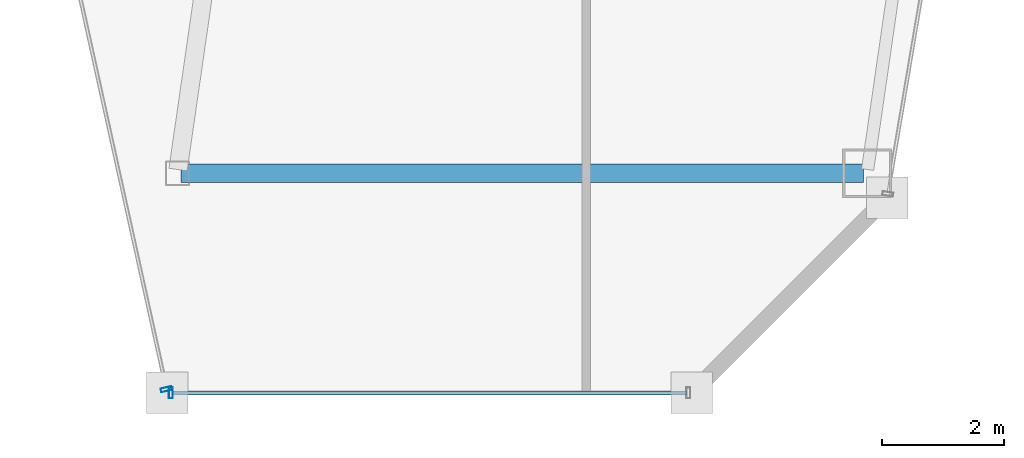
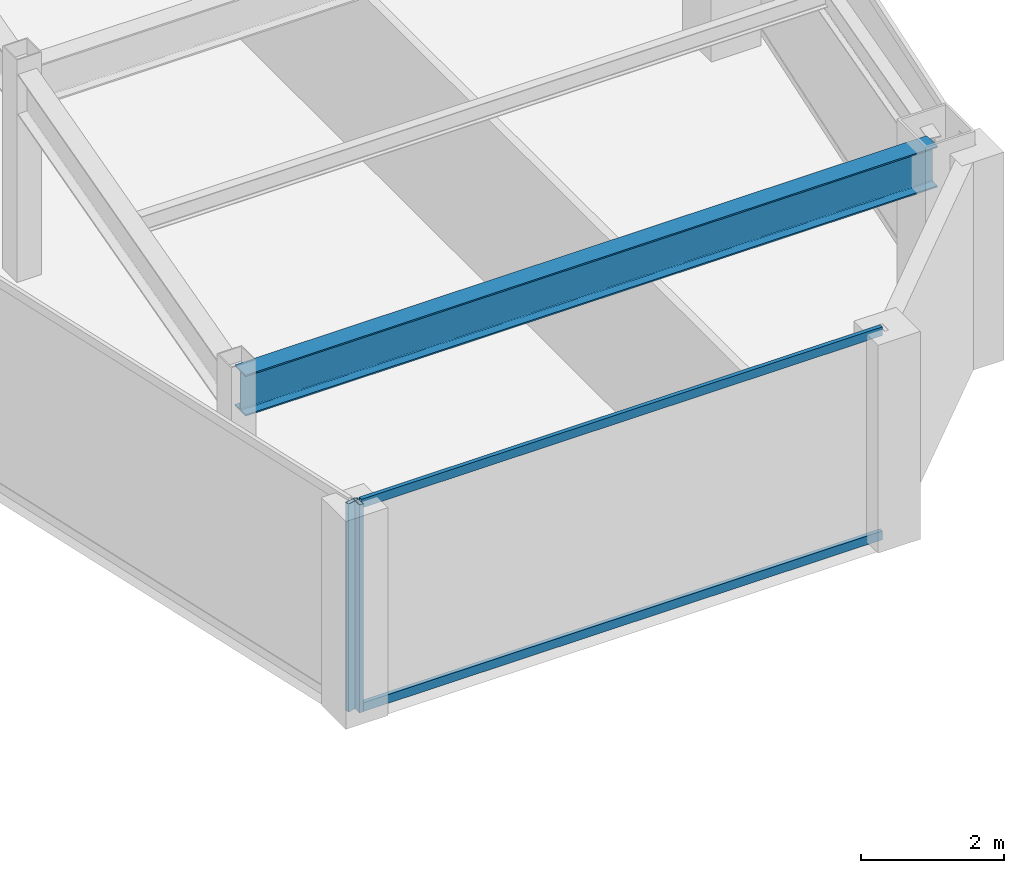
# One storey, part 16 of 35: 4 members, 1 beam, 2 elements without a shape of their own.
"""IFC4 building model written with IfcOpenShell, lengths in metres."""

import ifcopenshell
import ifcopenshell.guid

model = None  # the IFC model being written
_history = None  # IfcOwnerHistory: only IFC2X3 demands one
_inside = {}  # id of a spatial element -> (the spatial element, [elements in it])
_under = {}  # id of a project, library or spatial element -> (it, [spatial elements below it])
_declared = {}  # id of a project -> (the project, [libraries it declares])
_typed = {}  # id of a type object -> (the type object, [elements of that type])
_made_of = {}  # id of a material, layer set ... -> (it, [elements and type objects made of it])


def new_model(schema):
    """Start an empty IFC model of exactly this schema.

    Asked for "IFC4X3", IfcOpenShell would pick the latest addendum, in which some entities
    have other attributes; the version numbers below select the first issue.
    IFC2X3 requires an IfcOwnerHistory on every rooted entity: one is made here for all.
    """
    global model, _history
    if schema == "IFC4X3":
        model = ifcopenshell.file(schema_version=(4, 3, 0, 0))
    else:
        model = ifcopenshell.file(schema=schema)
    _inside.clear()
    _under.clear()
    _declared.clear()
    _typed.clear()
    _made_of.clear()
    _history = None
    if model.schema == "IFC2X3":
        org = make("IfcOrganization", Name="unknown")
        user = make(
            "IfcPersonAndOrganization",
            ThePerson=make("IfcPerson", FamilyName="unknown"),
            TheOrganization=org,
        )
        app = make(
            "IfcApplication",
            ApplicationDeveloper=org,
            Version="unknown",
            ApplicationFullName="unknown",
            ApplicationIdentifier="unknown",
        )
        _history = make(
            "IfcOwnerHistory",
            OwningUser=user,
            OwningApplication=app,
            ChangeAction="ADDED",
            CreationDate=0,
        )
    return model


def make(cls, **values):
    """One entity of the class cls with the attributes given. An attribute that is None is left unset."""
    return model.create_entity(
        cls, **{name: value for name, value in values.items() if value is not None}
    )


def rooted(cls, **values):
    """An entity with a GlobalId (a new one), such as an element, a storey or a relation."""
    return make(cls, GlobalId=ifcopenshell.guid.new(), OwnerHistory=_history, **values)


def si_unit(unit_type, name, prefix=None):
    """IfcSIUnit, for example si_unit("LENGTHUNIT", "METRE", prefix="MILLI")."""
    return make("IfcSIUnit", UnitType=unit_type, Prefix=prefix, Name=name)


def assignment(units):
    """IfcUnitAssignment: the units of a project."""
    return None if units is None else make("IfcUnitAssignment", Units=units)


def point(xyz):
    """IfcCartesianPoint."""
    return None if xyz is None else make("IfcCartesianPoint", Coordinates=xyz)


def direction(xyz):
    """IfcDirection."""
    return None if xyz is None else make("IfcDirection", DirectionRatios=xyz)


def frame(location, z_axis=None, x_axis=None):
    """IfcAxis2Placement3D, a coordinate frame: its origin and axes. An axis left out is left unset."""
    return make(
        "IfcAxis2Placement3D",
        Location=point(location),
        Axis=direction(z_axis),
        RefDirection=direction(x_axis),
    )


def frame_2d(location, x_axis=None):
    """IfcAxis2Placement2D, a coordinate frame in the plane: its origin and x axis."""
    return make(
        "IfcAxis2Placement2D", Location=point(location), RefDirection=direction(x_axis)
    )


def origin():
    """The frame at (0, 0, 0) with its axes left unset."""
    return frame((0.0, 0.0, 0.0))


def origin_2d():
    """The frame at (0, 0) in the plane with its x axis left unset."""
    return frame_2d((0.0, 0.0))


def place(relative_to, where):
    """IfcLocalPlacement: puts the frame where relative to a parent placement (None: the world)."""
    return make(
        "IfcLocalPlacement", PlacementRelTo=relative_to, RelativePlacement=where
    )


def context(
    kind, dimensions, precision=None, world=None, true_north=None, identifier=None
):
    """IfcGeometricRepresentationContext, for example the 3D "Model" context."""
    return make(
        "IfcGeometricRepresentationContext",
        ContextIdentifier=identifier,
        ContextType=kind,
        CoordinateSpaceDimension=dimensions,
        Precision=precision,
        WorldCoordinateSystem=world,
        TrueNorth=true_north,
    )


def subcontext(parent, identifier, kind, view, scale=None):
    """IfcGeometricRepresentationSubContext, for example "Body" below "Model"."""
    return make(
        "IfcGeometricRepresentationSubContext",
        ContextIdentifier=identifier,
        ContextType=kind,
        ParentContext=parent,
        TargetScale=scale,
        TargetView=view,
    )


def project(units=None, contexts=None):
    """IfcProject with its units and contexts."""
    return rooted(
        "IfcProject",
        Name="project",
        RepresentationContexts=contexts,
        UnitsInContext=assignment(units),
    )


def spatial(cls, under=None, at=None, **own):
    """A site, building, storey or space (cls), placed at a placement, below another one or the project."""
    s = rooted(cls, ObjectPlacement=at, **own)
    if under is not None:
        _under.setdefault(under.id(), (under, []))[1].append(s)
    return s


def profile(cls, at=None, kind="AREA", **sizes):
    """A parametric profile (cls). Its sizes go by their IFC names, for example OverallWidth=200.0."""
    return make(cls, ProfileType=kind, Position=at, **sizes)


def hollow_rectangle(**sizes):
    """IfcRectangleHollowProfileDef."""
    return profile("IfcRectangleHollowProfileDef", **sizes)


def i_section(**sizes):
    """IfcIShapeProfileDef."""
    return profile("IfcIShapeProfileDef", **sizes)


def extrude(swept, where, along, depth):
    """IfcExtrudedAreaSolid: the profile swept, set in the frame where, extruded along a direction by depth."""
    return make(
        "IfcExtrudedAreaSolid",
        SweptArea=swept,
        Position=where,
        ExtrudedDirection=direction(along),
        Depth=depth,
    )


def shape(context_of_items, identifier, shape_type, items):
    """IfcShapeRepresentation: the items that make up one representation, for example the "Body"."""
    return make(
        "IfcShapeRepresentation",
        ContextOfItems=context_of_items,
        RepresentationIdentifier=identifier,
        RepresentationType=shape_type,
        Items=items,
    )


def material(Name=None, Category=None):
    """IfcMaterial."""
    return make("IfcMaterial", Name=Name, Category=Category)


def material_profile(
    of_material, cross_section, Name=None, Category=None, Priority=None
):
    """IfcMaterialProfile: a cross section and its material."""
    return make(
        "IfcMaterialProfile",
        Name=Name,
        Material=of_material,
        Profile=cross_section,
        Priority=Priority,
        Category=Category,
    )


def profile_set(profiles, Name=None, composite=None):
    """IfcMaterialProfileSet."""
    return make(
        "IfcMaterialProfileSet",
        Name=Name,
        MaterialProfiles=profiles,
        CompositeProfile=composite,
    )


def made_of(thing, what):
    """Note that an element or type object is made of a material, layer set ...; save() writes the relation."""
    if what is not None:
        _made_of.setdefault(what.id(), (what, []))[1].append(thing)
    return thing


def type_object(cls, material=None, **own):
    """A type object (cls), such as IfcWallType, which elements share."""
    return made_of(rooted(cls, **own), material)


def element(
    cls,
    number,
    at=None,
    inside=None,
    cuts=None,
    type_object=None,
    material=None,
    context=None,
    identifier="Body",
    shape_type=None,
    held_by="IfcProductDefinitionShape",
    body=None,
    shapes=None,
    **own,
):
    """One element of the class cls, such as IfcWall. Its Tag is "e" and its number.

    at: its placement. inside: the storey or other place that contains it. cuts: it is an
    opening in that element (IfcRelVoidsElement). A single representation is given by context,
    identifier, shape_type and body (its items); several are given by shapes. held_by: the class
    of the entity that holds the representations. save() writes the other relations.
    """
    e = rooted(cls, Tag="e%d" % number, ObjectPlacement=at, **own)
    if body is not None:
        shapes = [shape(context, identifier, shape_type, body)]
    if shapes is not None:
        e.Representation = make(held_by, Representations=shapes)
    if inside is not None:
        _inside.setdefault(inside.id(), (inside, []))[1].append(e)
    if cuts is not None:
        rooted(
            "IfcRelVoidsElement", RelatingBuildingElement=cuts, RelatedOpeningElement=e
        )
    if type_object is not None:
        _typed.setdefault(type_object.id(), (type_object, []))[1].append(e)
    return made_of(e, material)


def aggregate(whole, parts):
    """IfcRelAggregates: a whole, such as a stair, and the parts it consists of."""
    return rooted("IfcRelAggregates", RelatingObject=whole, RelatedObjects=parts)


def save(model, path):
    """Write the relations noted so far, then the file.

    IfcRelAggregates (storeys below a building ...), IfcRelContainedInSpatialStructure (elements
    in a storey), IfcRelDefinesByType, IfcRelAssociatesMaterial and IfcRelDeclares: one each for
    every whole, place, type object, material and project.
    """
    for whole, parts in _under.values():
        aggregate(whole, parts)
    for where, things in _inside.values():
        rooted(
            "IfcRelContainedInSpatialStructure",
            RelatedElements=things,
            RelatingStructure=where,
        )
    for kind, things in _typed.values():
        rooted("IfcRelDefinesByType", RelatedObjects=things, RelatingType=kind)
    for what, things in _made_of.values():
        rooted("IfcRelAssociatesMaterial", RelatedObjects=things, RelatingMaterial=what)
    for by, libraries in _declared.values():
        rooted("IfcRelDeclares", RelatingContext=by, RelatedDefinitions=libraries)
    model.write(path)


model = new_model("IFC4")

# Units and contexts
model_context = context("Model", 3, precision=1e-05, world=origin(), true_north=direction((0.0, 1.0)))
body_context = subcontext(model_context, "Body", "Model", "MODEL_VIEW")
ifc_project = project(units=[si_unit("LENGTHUNIT", "METRE"), si_unit("AREAUNIT", "SQUARE_METRE"), si_unit("VOLUMEUNIT", "CUBIC_METRE"), si_unit("PLANEANGLEUNIT", "RADIAN"), si_unit("MASSUNIT", "GRAM", prefix="KILO")], contexts=[model_context])

# Site, building, storey
site_placement = place(None, origin())
site = spatial("IfcSite", under=ifc_project, at=site_placement, CompositionType="ELEMENT")
building_placement = place(site_placement, origin())
building = spatial("IfcBuilding", under=site, at=building_placement, Name="Saevonmaru Cultural Tower", CompositionType="ELEMENT")
storey_placement = place(building_placement, frame((0.0, 0.0, 194.199951171875)))
storey = spatial("IfcBuildingStorey", under=building, at=storey_placement, Name="L44", CompositionType="ELEMENT", Elevation=194.199951171875)

# Beam
ifc_material_1 = material(Name="Steel SM355", Category="steel")
ifc_material_profile_1 = material_profile(ifc_material_1, i_section(OverallWidth=0.300048828125, OverallDepth=0.699951171875, WebThickness=0.012939453125, FlangeThickness=0.02392578125, FilletRadius=0.02587890625, at=origin_2d()), Name="H-700x300x13x24")
ifc_profile_set_1 = profile_set([ifc_material_profile_1], Name="Steel SM355")
beam_type = type_object("IfcBeamType", Name="BM-G-H700", PredefinedType="BEAM", material=ifc_profile_set_1)
beam_placement = place(storey_placement, frame((38.132080078125, 16.0, 3.199951171875), z_axis=(1.0, 0.0, 0.0), x_axis=(0.0, 1.0, 0.0)))
element("IfcBeam", 1, at=beam_placement, inside=storey, type_object=beam_type, Name="L44 East Wing Transverse Girder 1", PredefinedType="BEAM", context=body_context, shape_type="SweptSolid", body=[
    extrude(i_section(OverallWidth=0.300048828125, OverallDepth=0.699951171875, WebThickness=0.012939453125, FlangeThickness=0.02392578125, FilletRadius=0.02587890625, at=origin_2d()), origin(), (0.0, 0.0, 1.0), 11.179931640625),
])

# Curtain wall, member
ifc_material_2 = material(Name="Satin Bronze Anodised Aluminium", Category="aluminium")
curtain_wall_type = type_object("IfcCurtainWallType", Name="CW-TYP-B", PredefinedType="NOTDEFINED", material=ifc_material_2)
curtain_wall_1_placement = place(storey_placement, origin())
curtain_wall_1 = element("IfcCurtainWall", 2, at=curtain_wall_1_placement, inside=storey, type_object=curtain_wall_type, Name="L44 Unitised Curtain Wall E5", PredefinedType="NOTDEFINED")
ifc_material_profile_2 = material_profile(ifc_material_2, hollow_rectangle(XDim=0.06494140625, YDim=0.179931640625, WallThickness=0.00390625, at=origin_2d()), Name="ALU-MULL-180x65x4")
ifc_profile_set_2 = profile_set([ifc_material_profile_2], Name="Satin Bronze Anodised Aluminium")
member_type_1 = type_object("IfcMemberType", Name="ML-CW-180x65", PredefinedType="MULLION", material=ifc_profile_set_2)
member_1_placement = place(storey_placement, frame((37.889404296875, 12.45849609375, 0.0), z_axis=(0.0, 0.0, 1.0), x_axis=(0.215413319953, -0.976522965212, 0.0)))
member_1 = element("IfcMember", 3, at=member_1_placement, type_object=member_type_1, Name="CW-TW-L44-E5 mullion 2", PredefinedType="MULLION", context=body_context, shape_type="SweptSolid", body=[
    extrude(hollow_rectangle(XDim=0.06494140625, YDim=0.179931640625, WallThickness=0.00390625, at=origin_2d()), origin(), (0.0, 0.0, 1.0), 3.550048828125),
])
aggregate(curtain_wall_1, [member_1])

# Curtain wall, members
curtain_wall_2_placement = place(storey_placement, origin())
curtain_wall_2 = element("IfcCurtainWall", 4, at=curtain_wall_2_placement, inside=storey, type_object=curtain_wall_type, Name="L44 Unitised Curtain Wall E6", PredefinedType="NOTDEFINED")
member_2_placement = place(storey_placement, frame((37.962158203125, 12.39990234375, 0.0), z_axis=(0.0, 0.0, 1.0), x_axis=(1.0, 0.0, 0.0)))
member_2 = element("IfcMember", 5, at=member_2_placement, type_object=member_type_1, Name="CW-TW-L44-E6 mullion 1", PredefinedType="MULLION", context=body_context, shape_type="SweptSolid", body=[
    extrude(hollow_rectangle(XDim=0.06494140625, YDim=0.179931640625, WallThickness=0.00390625, at=origin_2d()), origin(), (0.0, 0.0, 1.0), 3.550048828125),
])
ifc_material_profile_3 = material_profile(ifc_material_2, hollow_rectangle(XDim=0.06494140625, YDim=0.14990234375, WallThickness=0.00390625, at=origin_2d()), Name="ALU-TRAN-150x65x4")
ifc_profile_set_3 = profile_set([ifc_material_profile_3], Name="Satin Bronze Anodised Aluminium")
member_type_2 = type_object("IfcMemberType", Name="TR-CW-150x65", PredefinedType="USERDEFINED", material=ifc_profile_set_3)
member_3_placement = place(storey_placement, frame((37.99462890625, 12.39990234375, 0.032470703125), z_axis=(1.0, 0.0, 0.0), x_axis=(0.0, 1.0, 0.0)))
member_3 = element("IfcMember", 6, at=member_3_placement, type_object=member_type_2, Name="CW-TW-L44-E6 transom 1.1", ObjectType="TRANSOM", PredefinedType="USERDEFINED", context=body_context, shape_type="SweptSolid", body=[
    extrude(hollow_rectangle(XDim=0.06494140625, YDim=0.14990234375, WallThickness=0.00390625, at=origin_2d()), origin(), (0.0, 0.0, 1.0), 8.4150390625),
])
member_4_placement = place(storey_placement, frame((37.99462890625, 12.39990234375, 3.517578125), z_axis=(1.0, 0.0, 0.0), x_axis=(0.0, 1.0, 0.0)))
member_4 = element("IfcMember", 7, at=member_4_placement, type_object=member_type_2, Name="CW-TW-L44-E6 transom 1.2", ObjectType="TRANSOM", PredefinedType="USERDEFINED", context=body_context, shape_type="SweptSolid", body=[
    extrude(hollow_rectangle(XDim=0.06494140625, YDim=0.14990234375, WallThickness=0.00390625, at=origin_2d()), origin(), (0.0, 0.0, 1.0), 8.4150390625),
])
aggregate(curtain_wall_2, [member_2, member_3, member_4])

save(model, "model.ifc")
